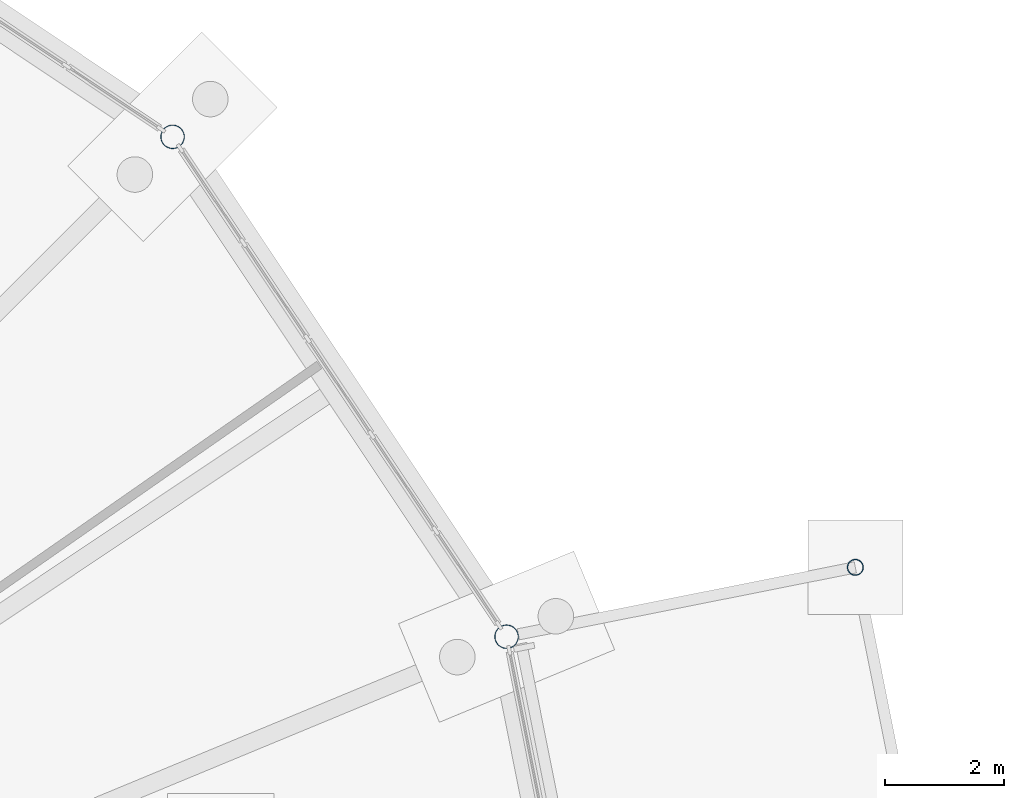
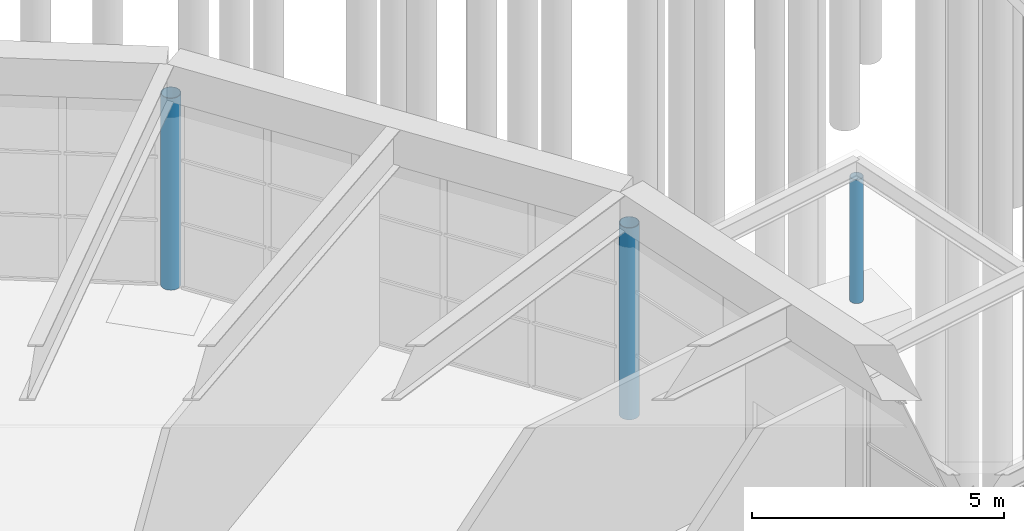
# One storey, part 34 of 226: 3 columns.
"""IFC4 building model written with IfcOpenShell, lengths in metres."""

from ifc_helpers import new_model, si_unit, direction, frame, origin, origin_2d, place, context, subcontext, project, spatial, hollow_circle, extrude, material, material_profile, profile_set, type_object, element, save


model = new_model("IFC4")

# Units and contexts
model_context = context("Model", 3, precision=1e-05, world=origin(), true_north=direction((0.0, 1.0)))
body_context = subcontext(model_context, "Body", "Model", "MODEL_VIEW")
ifc_project = project(units=[si_unit("LENGTHUNIT", "METRE"), si_unit("AREAUNIT", "SQUARE_METRE"), si_unit("VOLUMEUNIT", "CUBIC_METRE"), si_unit("PLANEANGLEUNIT", "RADIAN"), si_unit("MASSUNIT", "GRAM", prefix="KILO")], contexts=[model_context])

# Site, building, storey
site_placement = place(None, origin())
site = spatial("IfcSite", under=ifc_project, at=site_placement, CompositionType="ELEMENT")
building_placement = place(site_placement, origin())
building = spatial("IfcBuilding", under=site, at=building_placement, Name="Ceibo Conservatory and Research Tower", CompositionType="ELEMENT")
storey_placement = place(building_placement, origin())
storey = spatial("IfcBuildingStorey", under=building, at=storey_placement, Name="L00", CompositionType="ELEMENT", Elevation=0.0)

# Columns
ifc_material = material(Name="Steel ASTM A500 Gr C", Category="steel")
ifc_material_profile_1 = material_profile(ifc_material, hollow_circle(Radius=0.136474609375, WallThickness=0.00927734375, at=origin_2d()), Name="CHS column 273.1x9.27")
ifc_profile_set_1 = profile_set([ifc_material_profile_1], Name="Steel ASTM A500 Gr C")
column_type_1 = type_object("IfcColumnType", Name="CHS column 273.1x9.27", PredefinedType="COLUMN", material=ifc_profile_set_1)
column_placement = place(storey_placement, frame((197.905517578125, 47.120361328125, 0.0), z_axis=(0.0, 0.0, 1.0), x_axis=(1.0, 0.0, 0.0)))
element("IfcColumn", 1, at=column_placement, inside=storey, type_object=column_type_1, Name="Canopy column East 2", PredefinedType="COLUMN", context=body_context, shape_type="SweptSolid", body=[
    extrude(hollow_circle(Radius=0.136474609375, WallThickness=0.00927734375, at=origin_2d()), origin(), (0.0, 0.0, 1.0), 2.9990234375),
])
ifc_material_profile_2 = material_profile(ifc_material, hollow_circle(Radius=0.203125, WallThickness=0.0126953125, at=origin_2d()), Name="CHS column 406.4x12.70")
ifc_profile_set_2 = profile_set([ifc_material_profile_2], Name="Steel ASTM A500 Gr C")
column_type_2 = type_object("IfcColumnType", Name="CHS column 406.4x12.70", PredefinedType="COLUMN", material=ifc_profile_set_2)
for number, where, z_axis, x_axis, name in (
    (2, (192.020751953125, 45.94970703125, 0.0), (0.0, 0.0, 1.0), (1.0, 0.0, 0.0), "Pavilion column VC-C02"),
    (3, (186.384765625, 54.384765625, 0.0), (0.0, 0.0, 1.0), (1.0, 0.0, 0.0), "Pavilion column VC-C03"),
):
    element("IfcColumn", number, at=place(storey_placement, frame(where, z_axis=z_axis, x_axis=x_axis)), inside=storey, type_object=column_type_2, Name=name, PredefinedType="COLUMN", context=body_context, shape_type="SweptSolid", body=[
        extrude(hollow_circle(Radius=0.203125, WallThickness=0.0126953125, at=origin_2d()), origin(), (0.0, 0.0, 1.0), 4.64892578125),
    ])

save(model, "model.ifc")
